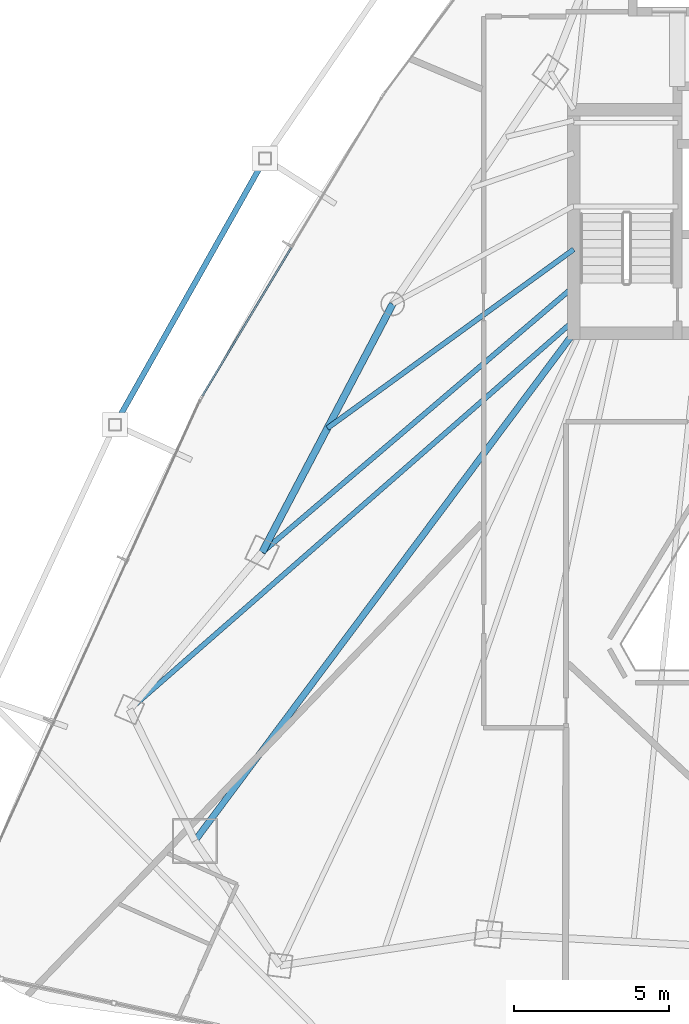
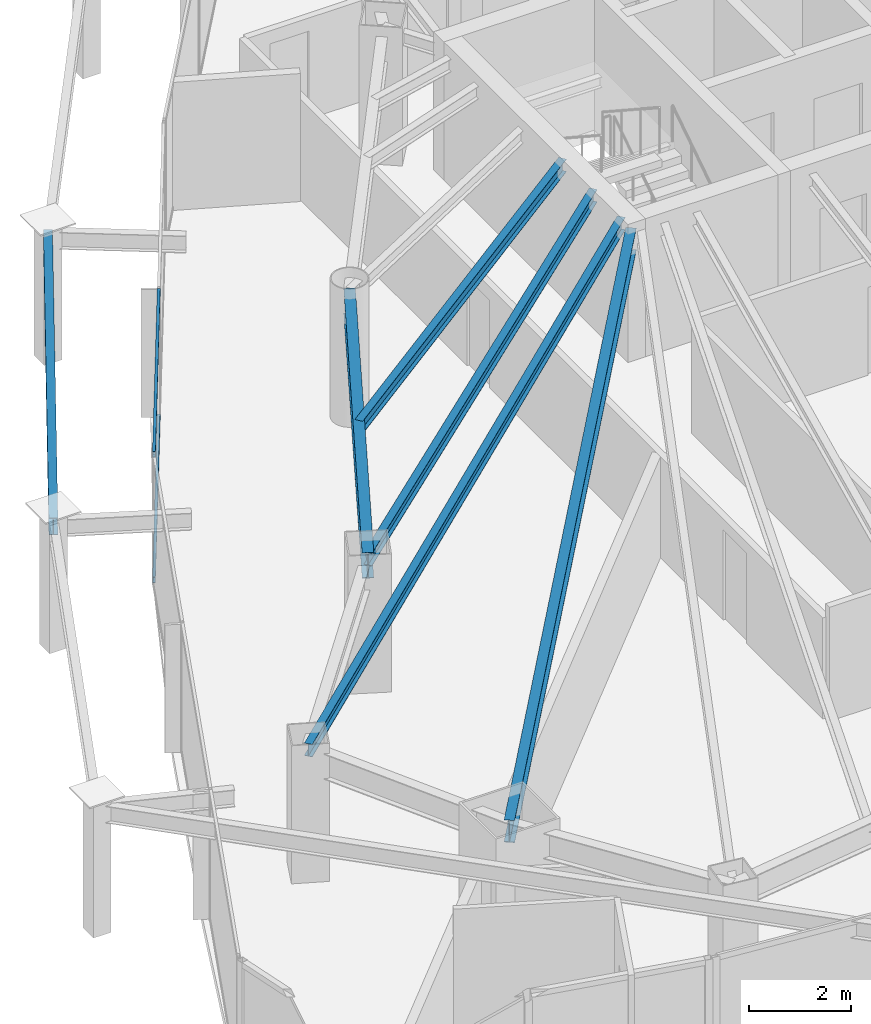
# One storey, part 10 of 31: 6 beams, 2 members, 1 element without a shape of its own.
"""IFC4 building model written with IfcOpenShell, lengths in metres."""

from ifc_helpers import new_model, si_unit, direction, frame, origin, origin_2d, place, context, subcontext, project, spatial, hollow_rectangle, i_section, extrude, material, layer, layer_set, material_profile, profile_set, type_object, element, aggregate, save


model = new_model("IFC4")

# Units and contexts
model_context = context("Model", 3, precision=1e-05, world=origin(), true_north=direction((0.0, 1.0)))
body_context = subcontext(model_context, "Body", "Model", "MODEL_VIEW")
ifc_project = project(units=[si_unit("LENGTHUNIT", "METRE"), si_unit("AREAUNIT", "SQUARE_METRE"), si_unit("VOLUMEUNIT", "CUBIC_METRE"), si_unit("PLANEANGLEUNIT", "RADIAN"), si_unit("MASSUNIT", "GRAM", prefix="KILO")], contexts=[model_context])

# Site, building, storey
site_placement = place(None, origin())
site = spatial("IfcSite", under=ifc_project, at=site_placement, CompositionType="ELEMENT")
building_placement = place(site_placement, origin())
building = spatial("IfcBuilding", under=site, at=building_placement, Name="Orvanel Arch Residences", CompositionType="ELEMENT")
storey_placement = place(building_placement, frame((0.0, 0.0, 133.10009765625)))
storey = spatial("IfcBuildingStorey", under=building, at=storey_placement, Name="L37", CompositionType="ELEMENT", Elevation=133.10009765625)

# Beams
ifc_material_1 = material(Name="Structural steel AS/NZS 3679.1 Grade 300 (300 MPa)", Category="steel")
ifc_material_profile_1 = material_profile(ifc_material_1, i_section(OverallWidth=0.208984375, OverallDepth=0.532958984375, WebThickness=0.01025390625, FlangeThickness=0.015625, at=origin_2d()), Name="530UB92.4")
ifc_profile_set_1 = profile_set([ifc_material_profile_1], Name="Structural steel AS/NZS 3679.1 Grade 300 (300 MPa)")
beam_type_1 = type_object("IfcBeamType", Name="BG-530UB", PredefinedType="BEAM", material=ifc_profile_set_1)
beam_1_placement = place(storey_placement, frame((26.375, 26.675048828125, 2.79296875), z_axis=(-0.597893733742, -0.801575375839, 0.0), x_axis=(0.801575375839, -0.597893733742, 0.0)))
element("IfcBeam", 1, at=beam_1_placement, inside=storey, type_object=beam_type_1, Name="L37 South-West Radial Girder", PredefinedType="BEAM", context=body_context, shape_type="SweptSolid", body=[
    extrude(i_section(OverallWidth=0.208984375, OverallDepth=0.532958984375, WebThickness=0.01025390625, FlangeThickness=0.015625, at=origin_2d()), origin(), (0.0, 0.0, 1.0), 20.36474609375),
])
ifc_material_profile_2 = material_profile(ifc_material_1, i_section(OverallWidth=0.1650390625, OverallDepth=0.303955078125, WebThickness=0.006103515625, FlangeThickness=0.01025390625, at=origin_2d()), Name="310UB40.4")
ifc_profile_set_2 = profile_set([ifc_material_profile_2], Name="Structural steel AS/NZS 3679.1 Grade 300 (300 MPa)")
beam_type_2 = type_object("IfcBeamType", Name="BJ-310UB", PredefinedType="JOIST", material=ifc_profile_set_2)
beam_2_placement = place(storey_placement, frame((26.39990234375, 28.199951171875, 2.907958984375), z_axis=(-0.760821315761, -0.648961420644, 0.0), x_axis=(0.648961420644, -0.760821315761, 0.0)))
element("IfcBeam", 2, at=beam_2_placement, inside=storey, type_object=beam_type_2, Name="L37 W Wing Floor Joist", PredefinedType="JOIST", context=body_context, shape_type="SweptSolid", body=[
    extrude(i_section(OverallWidth=0.1650390625, OverallDepth=0.303955078125, WebThickness=0.006103515625, FlangeThickness=0.01025390625, at=origin_2d()), origin(), (0.0, 0.0, 1.0), 13.18701171875),
])
beam_3_placement = place(storey_placement, frame((26.39990234375, 27.10009765625, 2.907958984375), z_axis=(-0.752493154183, -0.658600070534, 0.0), x_axis=(0.658600070534, -0.752493154183, 0.0)))
element("IfcBeam", 3, at=beam_3_placement, inside=storey, type_object=beam_type_2, Name="L37 MW Wing Floor Joist", PredefinedType="JOIST", context=body_context, shape_type="SweptSolid", body=[
    extrude(i_section(OverallWidth=0.1650390625, OverallDepth=0.303955078125, WebThickness=0.006103515625, FlangeThickness=0.01025390625, at=origin_2d()), origin(), (0.0, 0.0, 1.0), 19.010009765625),
])
beam_4_placement = place(storey_placement, frame((26.39990234375, 29.39990234375, 2.907958984375), z_axis=(-0.809261403954, -0.587448704203, 0.0), x_axis=(0.587448704203, -0.809261403954, 0.0)))
element("IfcBeam", 4, at=beam_4_placement, inside=storey, type_object=beam_type_2, Name="L37 CTW Wing Floor Joist", PredefinedType="JOIST", context=body_context, shape_type="SweptSolid", body=[
    extrude(i_section(OverallWidth=0.1650390625, OverallDepth=0.303955078125, WebThickness=0.006103515625, FlangeThickness=0.01025390625, at=origin_2d()), origin(), (0.0, 0.0, 1.0), 9.80126953125),
])
ifc_material_profile_3 = material_profile(ifc_material_1, i_section(OverallWidth=0.177978515625, OverallDepth=0.406005859375, WebThickness=0.0078125, FlangeThickness=0.0126953125, at=origin_2d()), Name="410UB59.7")
ifc_profile_set_3 = profile_set([ifc_material_profile_3], Name="Structural steel AS/NZS 3679.1 Grade 300 (300 MPa)")
beam_type_3 = type_object("IfcBeamType", Name="OB-410UB-EXT", PredefinedType="SPANDREL", material=ifc_profile_set_3)
beam_5_placement = place(storey_placement, frame((16.455078125, 32.325927734375, 2.85693359375), z_axis=(-0.490592233597, -0.871389270266, 0.0), x_axis=(0.871389270266, -0.490592233597, 0.0)))
element("IfcBeam", 5, at=beam_5_placement, inside=storey, type_object=beam_type_3, Name="L37 Outer Perimeter Floor Ring Beam 02", PredefinedType="SPANDREL", context=body_context, shape_type="SweptSolid", body=[
    extrude(i_section(OverallWidth=0.177978515625, OverallDepth=0.406005859375, WebThickness=0.0078125, FlangeThickness=0.0126953125, at=origin_2d()), origin(), (0.0, 0.0, 1.0), 9.83935546875),
])
ifc_material_profile_4 = material_profile(ifc_material_1, i_section(OverallWidth=0.22900390625, OverallDepth=0.612060546875, WebThickness=0.011962890625, FlangeThickness=0.01953125, at=origin_2d()), Name="610UB125")
ifc_profile_set_4 = profile_set([ifc_material_profile_4], Name="Structural steel AS/NZS 3679.1 Grade 300 (300 MPa)")
beam_type_4 = type_object("IfcBeamType", Name="SP-610UB", PredefinedType="SPANDREL", material=ifc_profile_set_4)
beam_6_placement = place(storey_placement, frame((20.569091796875, 27.64111328125, 2.75390625), z_axis=(-0.465064762793, -0.885276660942, 0.0), x_axis=(0.885276660942, -0.465064762793, 0.0)))
element("IfcBeam", 6, at=beam_6_placement, inside=storey, type_object=beam_type_4, Name="L37 Perimeter Spandrel Beam 18", PredefinedType="SPANDREL", context=body_context, shape_type="SweptSolid", body=[
    extrude(i_section(OverallWidth=0.22900390625, OverallDepth=0.612060546875, WebThickness=0.011962890625, FlangeThickness=0.01953125, at=origin_2d()), origin(), (0.0, 0.0, 1.0), 9.03564453125),
])

# Curtain wall, members
ifc_material_2 = material(Name="Bronze-anodised aluminium AA6063-T6", Category="aluminium")
ifc_layer = layer(ifc_material_2, 0.179931640625)
ifc_layer_set = layer_set([ifc_layer], Name="Bronze-anodised aluminium AA6063-T6")
curtain_wall_type = type_object("IfcCurtainWallType", Name="CW3-MID-SYS", PredefinedType="NOTDEFINED", material=ifc_layer_set)
curtain_wall_placement = place(storey_placement, origin())
curtain_wall = element("IfcCurtainWall", 7, at=curtain_wall_placement, inside=storey, type_object=curtain_wall_type, Name="L37 CW3-MID-SYS Unitised Curtain Wall", PredefinedType="NOTDEFINED")
ifc_material_profile_5 = material_profile(ifc_material_2, hollow_rectangle(XDim=0.06005859375, YDim=0.135009765625, WallThickness=0.00390625, at=origin_2d()), Name="ALU135x60x4")
ifc_profile_set_5 = profile_set([ifc_material_profile_5], Name="Bronze-anodised aluminium AA6063-T6")
member_type = type_object("IfcMemberType", Name="TRN-135x60", PredefinedType="USERDEFINED", material=ifc_profile_set_5)
member_1_placement = place(storey_placement, frame((17.304443359375, 29.4560546875, 0.02978515625), z_axis=(-0.514418461104, -0.857539297569, 0.0), x_axis=(0.857539297569, -0.514418461104, 0.0)))
member_1 = element("IfcMember", 8, at=member_1_placement, type_object=member_type, Name="CW-S3 transom 2.1", ObjectType="TRANSOM", PredefinedType="USERDEFINED", context=body_context, shape_type="SweptSolid", body=[
    extrude(hollow_rectangle(XDim=0.06005859375, YDim=0.135009765625, WallThickness=0.00390625, at=origin_2d()), origin(), (0.0, 0.0, 1.0), 5.57421875),
])
member_2_placement = place(storey_placement, frame((17.304443359375, 29.4560546875, 3.02978515625), z_axis=(-0.514418461104, -0.857539297569, 0.0), x_axis=(0.857539297569, -0.514418461104, 0.0)))
member_2 = element("IfcMember", 9, at=member_2_placement, type_object=member_type, Name="CW-S3 transom 2.2", ObjectType="TRANSOM", PredefinedType="USERDEFINED", context=body_context, shape_type="SweptSolid", body=[
    extrude(hollow_rectangle(XDim=0.06005859375, YDim=0.135009765625, WallThickness=0.00390625, at=origin_2d()), origin(), (0.0, 0.0, 1.0), 5.57421875),
])
aggregate(curtain_wall, [member_1, member_2])

save(model, "model.ifc")
